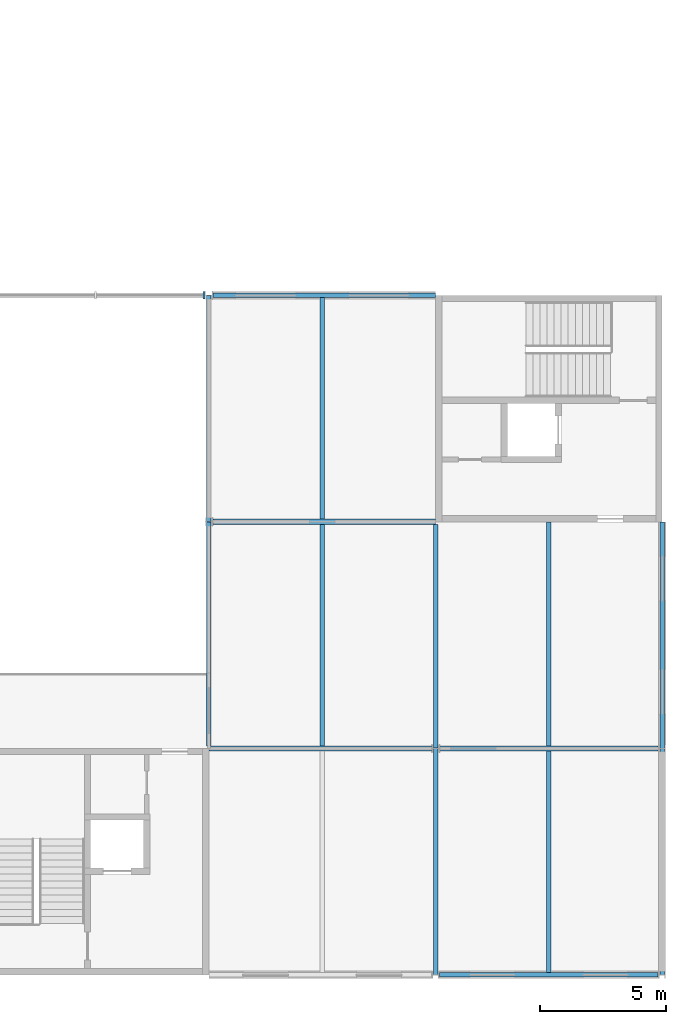
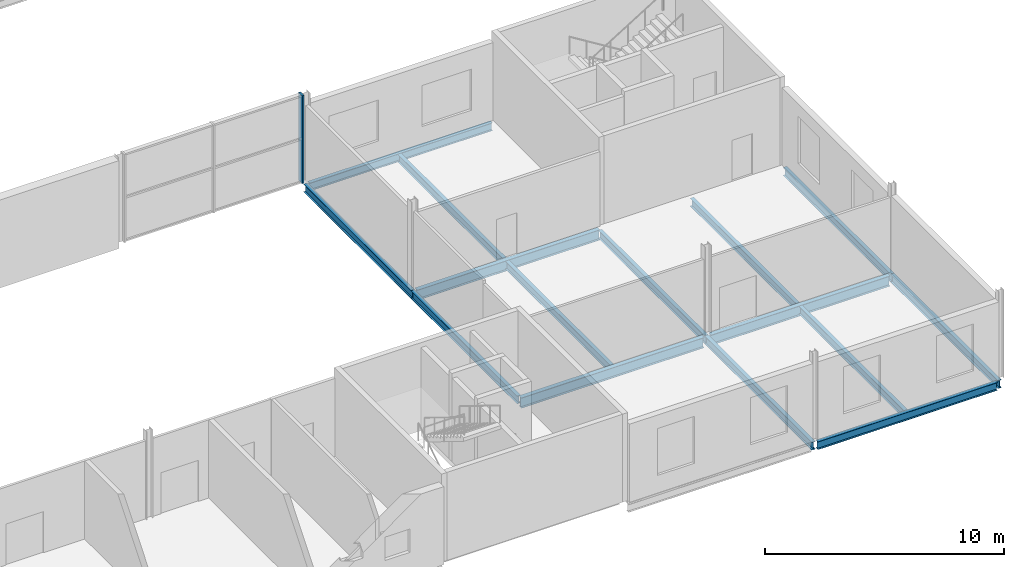
# One storey, part 52 of 97: 15 beams, 1 member, 1 element without a shape of its own.
"""IFC4 building model written with IfcOpenShell, lengths in metres."""

from ifc_helpers import new_model, si_unit, direction, frame, origin, origin_2d, place, context, subcontext, project, spatial, rectangle, i_section, extrude, material, layer, layer_set, material_profile, profile_set, type_object, element, aggregate, save


model = new_model("IFC4")

# Units and contexts
model_context = context("Model", 3, precision=1e-05, world=origin(), true_north=direction((0.0, 1.0)))
body_context = subcontext(model_context, "Body", "Model", "MODEL_VIEW")
ifc_project = project(units=[si_unit("LENGTHUNIT", "METRE"), si_unit("AREAUNIT", "SQUARE_METRE"), si_unit("VOLUMEUNIT", "CUBIC_METRE"), si_unit("PLANEANGLEUNIT", "RADIAN"), si_unit("MASSUNIT", "GRAM", prefix="KILO")], contexts=[model_context])

# Site, building, storey
site_placement = place(None, origin())
site = spatial("IfcSite", under=ifc_project, at=site_placement, CompositionType="ELEMENT")
building_placement = place(site_placement, origin())
building = spatial("IfcBuilding", under=site, at=building_placement, Name="Corbel Yard City Hall", CompositionType="ELEMENT")
storey_placement = place(building_placement, frame((0.0, 0.0, 6.0)))
storey = spatial("IfcBuildingStorey", under=building, at=storey_placement, Name="L01", CompositionType="ELEMENT", Elevation=6.0)

# Beams
ifc_material_1 = material(Name="Steel Grade 300 (300 MPa yield)", Category="steel")
ifc_material_profile_1 = material_profile(ifc_material_1, i_section(OverallWidth=0.177978515625, OverallDepth=0.403076171875, WebThickness=0.007568359375, FlangeThickness=0.010986328125, at=origin_2d()), Name="410UB53.7")
ifc_profile_set_1 = profile_set([ifc_material_profile_1], Name="Steel Grade 300 (300 MPa yield)")
beam_type_1 = type_object("IfcBeamType", Name="Beam 410UB53.7", PredefinedType="BEAM", material=ifc_profile_set_1)
beam_1_placement = place(storey_placement, frame((171.0, 0.005859375, -0.3515625), z_axis=(0.0, 1.0, 0.0), x_axis=(-1.0, 0.0, 0.0)))
element("IfcBeam", 1, at=beam_1_placement, inside=storey, type_object=beam_type_1, Name="Beam 410UB53.7 SB6 L01floor", PredefinedType="BEAM", context=body_context, shape_type="SweptSolid", body=[
    extrude(i_section(OverallWidth=0.177978515625, OverallDepth=0.403076171875, WebThickness=0.007568359375, FlangeThickness=0.010986328125, at=origin_2d()), origin(), (0.0, 0.0, 1.0), 8.986328125),
])
beam_2_placement = place(storey_placement, frame((171.0, 9.0078125, -0.3515625), z_axis=(0.0, 1.0, 0.0), x_axis=(-1.0, 0.0, 0.0)))
element("IfcBeam", 2, at=beam_2_placement, inside=storey, type_object=beam_type_1, Name="Beam 410UB53.7 SB6 L01floor", PredefinedType="BEAM", context=body_context, shape_type="SweptSolid", body=[
    extrude(i_section(OverallWidth=0.177978515625, OverallDepth=0.403076171875, WebThickness=0.007568359375, FlangeThickness=0.010986328125, at=origin_2d()), origin(), (0.0, 0.0, 1.0), 8.8876953125),
])
ifc_material_profile_2 = material_profile(ifc_material_1, i_section(OverallWidth=0.177978515625, OverallDepth=0.406005859375, WebThickness=0.0078125, FlangeThickness=0.0126953125, at=origin_2d()), Name="410UB59.7")
ifc_profile_set_2 = profile_set([ifc_material_profile_2], Name="Steel Grade 300 (300 MPa yield)")
beam_type_2 = type_object("IfcBeamType", Name="Edge beam 410UB59.7", PredefinedType="BEAM", material=ifc_profile_set_2)
beam_3_placement = place(storey_placement, frame((171.157470703125, 0.0, -0.35302734375), z_axis=(1.0, 0.0, 0.0), x_axis=(0.0, 1.0, 0.0)))
element("IfcBeam", 3, at=beam_3_placement, inside=storey, type_object=beam_type_2, Name="Edge beam 410UB59.7 EB2 L01floor", PredefinedType="BEAM", context=body_context, shape_type="SweptSolid", body=[
    extrude(i_section(OverallWidth=0.177978515625, OverallDepth=0.406005859375, WebThickness=0.0078125, FlangeThickness=0.0126953125, at=origin_2d()), origin(), (0.0, 0.0, 1.0), 8.68505859375),
])
beam_4_placement = place(storey_placement, frame((162.16357421875, 27.0, -0.35302734375), z_axis=(1.0, 0.0, 0.0), x_axis=(0.0, 1.0, 0.0)))
element("IfcBeam", 4, at=beam_4_placement, inside=storey, type_object=beam_type_2, Name="Edge beam 410UB59.7 EB2 L01floor", PredefinedType="BEAM", context=body_context, shape_type="SweptSolid", body=[
    extrude(i_section(OverallWidth=0.177978515625, OverallDepth=0.406005859375, WebThickness=0.0078125, FlangeThickness=0.0126953125, at=origin_2d()), origin(), (0.0, 0.0, 1.0), 8.83642578125),
])
beam_5_placement = place(storey_placement, frame((162.0, 9.1044921875, -0.35302734375), z_axis=(0.0, 1.0, 0.0), x_axis=(-1.0, 0.0, 0.0)))
element("IfcBeam", 5, at=beam_5_placement, inside=storey, type_object=beam_type_2, Name="Edge beam 410UB59.7 EB2 L01floor", PredefinedType="BEAM", context=body_context, shape_type="SweptSolid", body=[
    extrude(i_section(OverallWidth=0.177978515625, OverallDepth=0.406005859375, WebThickness=0.0078125, FlangeThickness=0.0126953125, at=origin_2d()), origin(), (0.0, 0.0, 1.0), 8.8876953125),
])
beam_6_placement = place(storey_placement, frame((162.0, 18.0078125, -0.35302734375), z_axis=(0.0, 1.0, 0.0), x_axis=(-1.0, 0.0, 0.0)))
element("IfcBeam", 6, at=beam_6_placement, inside=storey, type_object=beam_type_2, Name="Edge beam 410UB59.7 EB2 L01floor", PredefinedType="BEAM", context=body_context, shape_type="SweptSolid", body=[
    extrude(i_section(OverallWidth=0.177978515625, OverallDepth=0.406005859375, WebThickness=0.0078125, FlangeThickness=0.0126953125, at=origin_2d()), origin(), (0.0, 0.0, 1.0), 8.984375),
])
beam_7_placement = place(storey_placement, frame((180.0, 0.005859375, -0.35302734375), z_axis=(0.0, 1.0, 0.0), x_axis=(-1.0, 0.0, 0.0)))
element("IfcBeam", 7, at=beam_7_placement, inside=storey, type_object=beam_type_2, Name="Edge beam 410UB59.7 EB2 L01floor", PredefinedType="BEAM", context=body_context, shape_type="SweptSolid", body=[
    extrude(i_section(OverallWidth=0.177978515625, OverallDepth=0.406005859375, WebThickness=0.0078125, FlangeThickness=0.0126953125, at=origin_2d()), origin(), (0.0, 0.0, 1.0), 8.98828125),
])
beam_8_placement = place(storey_placement, frame((180.0, 9.005859375, -0.35302734375), z_axis=(0.0, 1.0, 0.0), x_axis=(-1.0, 0.0, 0.0)))
element("IfcBeam", 8, at=beam_8_placement, inside=storey, type_object=beam_type_2, Name="Edge beam 410UB59.7 EB2 L01floor", PredefinedType="BEAM", context=body_context, shape_type="SweptSolid", body=[
    extrude(i_section(OverallWidth=0.177978515625, OverallDepth=0.406005859375, WebThickness=0.0078125, FlangeThickness=0.0126953125, at=origin_2d()), origin(), (0.0, 0.0, 1.0), 8.994140625),
])
ifc_material_profile_3 = material_profile(ifc_material_1, i_section(OverallWidth=0.208984375, OverallDepth=0.528076171875, WebThickness=0.009521484375, FlangeThickness=0.01318359375, at=origin_2d()), Name="530UB82.0")
ifc_profile_set_3 = profile_set([ifc_material_profile_3], Name="Steel Grade 300 (300 MPa yield)")
beam_type_3 = type_object("IfcBeamType", Name="Girder 530UB82.0", PredefinedType="BEAM", material=ifc_profile_set_3)
beam_9_placement = place(storey_placement, frame((162.0, 9.0, -0.4140625), z_axis=(1.0, 0.0, 0.0), x_axis=(0.0, 1.0, 0.0)))
element("IfcBeam", 9, at=beam_9_placement, inside=storey, type_object=beam_type_3, Name="Girder 530UB82.0 GB3 L01floor", PredefinedType="BEAM", context=body_context, shape_type="SweptSolid", body=[
    extrude(i_section(OverallWidth=0.208984375, OverallDepth=0.528076171875, WebThickness=0.009521484375, FlangeThickness=0.01318359375, at=origin_2d()), origin(), (0.0, 0.0, 1.0), 8.83642578125),
])
beam_10_placement = place(storey_placement, frame((171.16357421875, 9.0, -0.4140625), z_axis=(1.0, 0.0, 0.0), x_axis=(0.0, 1.0, 0.0)))
element("IfcBeam", 10, at=beam_10_placement, inside=storey, type_object=beam_type_3, Name="Girder 530UB82.0 GB3 L01floor", PredefinedType="BEAM", context=body_context, shape_type="SweptSolid", body=[
    extrude(i_section(OverallWidth=0.208984375, OverallDepth=0.528076171875, WebThickness=0.009521484375, FlangeThickness=0.01318359375, at=origin_2d()), origin(), (0.0, 0.0, 1.0), 8.678955078125),
])
beam_11_placement = place(storey_placement, frame((162.16357421875, 18.0, -0.4140625), z_axis=(1.0, 0.0, 0.0), x_axis=(0.0, 1.0, 0.0)))
element("IfcBeam", 11, at=beam_11_placement, inside=storey, type_object=beam_type_3, Name="Girder 530UB82.0 GB3 L01floor", PredefinedType="BEAM", context=body_context, shape_type="SweptSolid", body=[
    extrude(i_section(OverallWidth=0.208984375, OverallDepth=0.528076171875, WebThickness=0.009521484375, FlangeThickness=0.01318359375, at=origin_2d()), origin(), (0.0, 0.0, 1.0), 8.83642578125),
])

# Curtain wall, member
ifc_material_2 = material(Name="Aluminium extrusion", Category="aluminium")
ifc_layer = layer(ifc_material_2, 0.300048828125)
ifc_layer_set = layer_set([ifc_layer], Name="Aluminium extrusion")
curtain_wall_type = type_object("IfcCurtainWallType", Name="CW7", PredefinedType="USERDEFINED", material=ifc_layer_set)
curtain_wall_placement = place(storey_placement, origin())
curtain_wall = element("IfcCurtainWall", 12, at=curtain_wall_placement, inside=storey, type_object=curtain_wall_type, Name="Curtain wall CW7 L01", ObjectType="CURTAIN WALL", PredefinedType="USERDEFINED")
ifc_material_profile_4 = material_profile(ifc_material_2, rectangle(XDim=0.300048828125, YDim=0.080078125, at=origin_2d()), Name="300x80")
ifc_profile_set_4 = profile_set([ifc_material_profile_4], Name="Aluminium extrusion")
member_type = type_object("IfcMemberType", Name="ML7", PredefinedType="MULLION", material=ifc_profile_set_4)
member_placement = place(storey_placement, frame((161.802490234375, 27.0, 0.0), z_axis=(0.0, 0.0, 1.0), x_axis=(0.0, 1.0, 0.0)))
member = element("IfcMember", 13, at=member_placement, type_object=member_type, Name="CW7 mullion 3", PredefinedType="MULLION", context=body_context, shape_type="SweptSolid", body=[
    extrude(rectangle(XDim=0.300048828125, YDim=0.080078125, at=origin_2d()), origin(), (0.0, 0.0, 1.0), 4.5),
])
aggregate(curtain_wall, [member])

# Beams
ifc_material_profile_5 = material_profile(ifc_material_1, i_section(OverallWidth=0.177978515625, OverallDepth=0.403076171875, WebThickness=0.007568359375, FlangeThickness=0.010986328125, at=origin_2d()), Name="410UB53.7")
ifc_profile_set_5 = profile_set([ifc_material_profile_5], Name="Steel Grade 300 (300 MPa yield)")
beam_type_4 = type_object("IfcBeamType", Name="Secondary beam 410UB53.7", PredefinedType="JOIST", material=ifc_profile_set_5)
beam_12_placement = place(storey_placement, frame((166.5, 9.1044921875, -0.3515625), z_axis=(0.0, 1.0, 0.0), x_axis=(-1.0, 0.0, 0.0)))
element("IfcBeam", 14, at=beam_12_placement, inside=storey, type_object=beam_type_4, Name="Secondary beam 410UB53.7 SB5 L01floor", PredefinedType="JOIST", context=body_context, shape_type="SweptSolid", body=[
    extrude(i_section(OverallWidth=0.177978515625, OverallDepth=0.403076171875, WebThickness=0.007568359375, FlangeThickness=0.010986328125, at=origin_2d()), origin(), (0.0, 0.0, 1.0), 8.791015625),
])
for number, where, z_axis, x_axis, name in (
    (15, (166.5, 18.1044921875, -0.3515625), (0.0, 1.0, 0.0), (-1.0, 0.0, 0.0), "Secondary beam 410UB53.7 SB5 L01floor"),
    (16, (175.5, 0.089111328125, -0.3515625), (0.0, 1.0, 0.0), (-1.0, 0.0, 0.0), "Secondary beam 410UB53.7 SB5 L01floor"),
):
    element("IfcBeam", number, at=place(storey_placement, frame(where, z_axis=z_axis, x_axis=x_axis)), inside=storey, type_object=beam_type_4, Name=name, PredefinedType="JOIST", context=body_context, shape_type="SweptSolid", body=[
        extrude(i_section(OverallWidth=0.177978515625, OverallDepth=0.403076171875, WebThickness=0.007568359375, FlangeThickness=0.010986328125, at=origin_2d()), origin(), (0.0, 0.0, 1.0), 8.806396484375),
    ])
beam_13_placement = place(storey_placement, frame((175.5, 9.1044921875, -0.3515625), z_axis=(0.0, 1.0, 0.0), x_axis=(-1.0, 0.0, 0.0)))
element("IfcBeam", 17, at=beam_13_placement, inside=storey, type_object=beam_type_4, Name="Secondary beam 410UB53.7 SB5 L01floor", PredefinedType="JOIST", context=body_context, shape_type="SweptSolid", body=[
    extrude(i_section(OverallWidth=0.177978515625, OverallDepth=0.403076171875, WebThickness=0.007568359375, FlangeThickness=0.010986328125, at=origin_2d()), origin(), (0.0, 0.0, 1.0), 8.8955078125),
])

save(model, "model.ifc")
